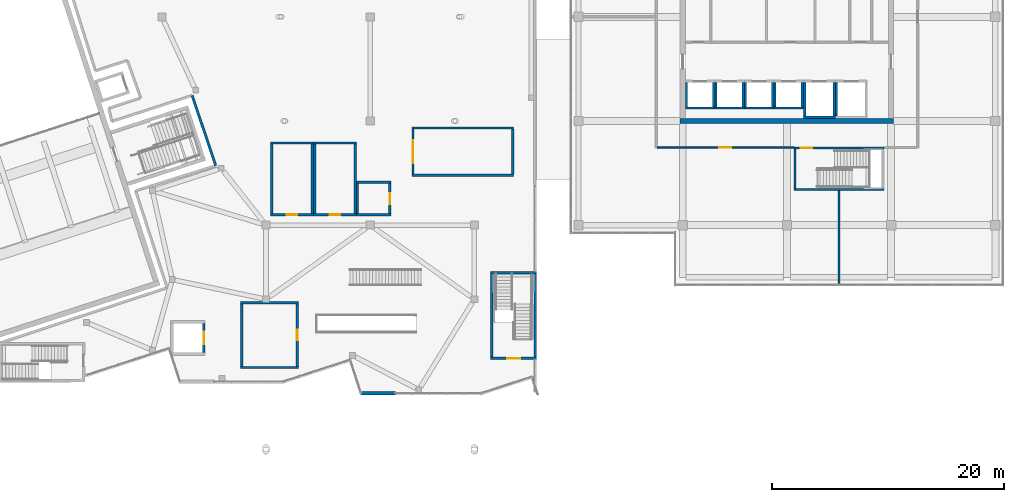
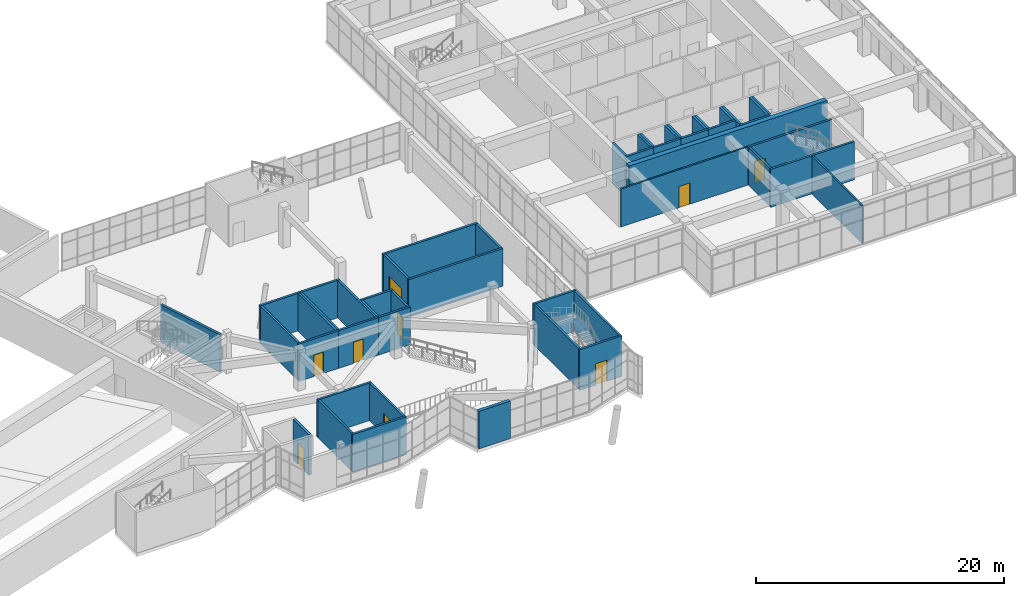
# One storey, part 55 of 66: 49 walls, 9 doors, 9 openings.
"""IFC4 building model written with IfcOpenShell, lengths in metres."""

from ifc_helpers import new_model, si_unit, direction, frame, frame_2d, origin, place, context, subcontext, project, spatial, rectangle, extrude, material, layer, layer_set, type_object, element, fill, save


model = new_model("IFC4")

# Units and contexts
model_context = context("Model", 3, precision=1e-05, world=origin(), true_north=direction((0.0, 1.0)))
body_context = subcontext(model_context, "Body", "Model", "MODEL_VIEW")
ifc_project = project(units=[si_unit("LENGTHUNIT", "METRE"), si_unit("AREAUNIT", "SQUARE_METRE"), si_unit("VOLUMEUNIT", "CUBIC_METRE"), si_unit("PLANEANGLEUNIT", "RADIAN"), si_unit("MASSUNIT", "GRAM", prefix="KILO")], contexts=[model_context])

# Site, building, storey
site_placement = place(None, origin())
site = spatial("IfcSite", under=ifc_project, at=site_placement, CompositionType="ELEMENT")
building_placement = place(site_placement, origin())
building = spatial("IfcBuilding", under=site, at=building_placement, Name="Tuart Plaza Theatre", CompositionType="ELEMENT")
storey_placement = place(building_placement, frame((0.0, 0.0, 5.5)))
storey = spatial("IfcBuildingStorey", under=building, at=storey_placement, Name="L01", CompositionType="ELEMENT", Elevation=5.5)

# Wall, opening, door
ifc_material_1 = material(Name="Masonry block", Category="masonry")
ifc_layer_1 = layer(ifc_material_1, 0.14990234375)
ifc_layer_set_1 = layer_set([ifc_layer_1], Name="PARTITION BLK150 MASONRYB FRL 120/-/-")
wall_type_1 = type_object("IfcWallType", Name="PARTITION BLK150 MASONRYB FRL 120/-/-", PredefinedType="PARTITIONING", material=ifc_layer_set_1)
wall_1_placement = place(storey_placement, frame((132.60009765625, 62.699951171875, 0.0), z_axis=(0.0, 0.0, 1.0), x_axis=(-1.0, 0.0, 0.0)))
wall_1 = element("IfcWall", 1, at=wall_1_placement, inside=storey, type_object=wall_type_1, Name="P600", PredefinedType="PARTITIONING", context=body_context, shape_type="SweptSolid", body=[
    extrude(rectangle(XDim=11.8251953125, YDim=0.14990234375, at=frame_2d((5.91259765625, 0.0))), origin(), (0.0, 0.0, 1.0), 3.75),
])
opening_1_placement = place(wall_1_placement, frame((5.427490234375, 0.0, 0.0)))
opening_1 = element("IfcOpeningElement", 2, at=opening_1_placement, cuts=wall_1, Name="Opening L01-060", PredefinedType="OPENING", context=body_context, shape_type="SweptSolid", body=[
    extrude(rectangle(XDim=1.0, YDim=2.10009765625, at=frame_2d((0.5, 1.050048828125))), frame((0.0, 0.0849609375, 0.0), z_axis=(0.0, -1.0, 0.0), x_axis=(1.0, 0.0, 0.0)), (0.0, 0.0, 1.0), 0.169921875),
])
ifc_material_2 = material(Name="Timber", Category="wood")
door_type_1 = type_object("IfcDoorType", Name="DOOR 1000x2100 timber single swing FRL -/60/30", OperationType="SINGLE_SWING_LEFT", PredefinedType="DOOR", material=ifc_material_2)
door_1_placement = place(opening_1_placement, origin())
door_1 = element("IfcDoor", 3, at=door_1_placement, inside=storey, type_object=door_type_1, Name="L01-060", OperationType="SINGLE_SWING_LEFT", OverallHeight=2.10009765625, OverallWidth=1.0, PredefinedType="DOOR", context=body_context, shape_type="SweptSolid", body=[
    extrude(rectangle(XDim=1.0, YDim=2.10009765625, at=frame_2d((0.5, 1.050048828125))), frame((0.0, 0.02490234375, 0.0), z_axis=(0.0, -1.0, 0.0), x_axis=(1.0, 0.0, 0.0)), (0.0, 0.0, 1.0), 0.050048828125),
])
fill(opening_1, door_1)

# Wall
wall_2_placement = place(storey_placement, frame((136.5, 50.89990234375, 0.0), z_axis=(0.0, 0.0, 1.0), x_axis=(0.0, 1.0, 0.0)))
element("IfcWall", 4, at=wall_2_placement, inside=storey, type_object=wall_type_1, Name="P605", PredefinedType="PARTITIONING", context=body_context, shape_type="SweptSolid", body=[
    extrude(rectangle(XDim=8.0751953125, YDim=0.14990234375, at=frame_2d((4.03759765625, 0.0))), origin(), (0.0, 0.0, 1.0), 3.75),
])

# Wall, opening, door
ifc_material_3 = material(Name="Masonry", Category="masonry")
ifc_layer_2 = layer(ifc_material_3, 0.199951171875)
ifc_layer_set_2 = layer_set([ifc_layer_2], Name="PARTITION BLK200 FRL 120/-/-")
wall_type_2 = type_object("IfcWallType", Name="PARTITION BLK200 FRL 120/-/-", PredefinedType="PARTITIONING", material=ifc_layer_set_2)
wall_3_placement = place(storey_placement, frame((87.39990234375, 56.89990234375, 0.0), z_axis=(0.0, 0.0, 1.0), x_axis=(1.0, 0.0, 0.0)))
wall_3 = element("IfcWall", 5, at=wall_3_placement, inside=storey, type_object=wall_type_2, Name="P309", PredefinedType="PARTITIONING", context=body_context, shape_type="SweptSolid", body=[
    extrude(rectangle(XDim=3.7001953125, YDim=0.199951171875, at=frame_2d((1.85009765625, 0.0))), origin(), (0.0, 0.0, 1.0), 3.699951171875),
])
opening_2_placement = place(wall_3_placement, frame((1.39990234375, 0.0, 0.0)))
opening_2 = element("IfcOpeningElement", 6, at=opening_2_placement, cuts=wall_3, Name="Opening L01-031", PredefinedType="OPENING", context=body_context, shape_type="SweptSolid", body=[
    extrude(rectangle(XDim=0.89990234375, YDim=2.10009765625, at=frame_2d((0.449951171875, 1.050048828125))), frame((0.0, 0.10986328125, 0.0), z_axis=(0.0, -1.0, 0.0), x_axis=(1.0, 0.0, 0.0)), (0.0, 0.0, 1.0), 0.219970703125),
])
ifc_material_4 = material(Name="Timber", Category="wood")
door_type_2 = type_object("IfcDoorType", Name="DOOR 900x2100 timber single swing FRL -/60/30", OperationType="SINGLE_SWING_LEFT", PredefinedType="DOOR", material=ifc_material_4)
door_2_placement = place(opening_2_placement, origin())
door_2 = element("IfcDoor", 7, at=door_2_placement, inside=storey, type_object=door_type_2, Name="L01-031", OperationType="SINGLE_SWING_LEFT", OverallHeight=2.10009765625, OverallWidth=0.89990234375, PredefinedType="DOOR", context=body_context, shape_type="SweptSolid", body=[
    extrude(rectangle(XDim=0.89990234375, YDim=2.10009765625, at=frame_2d((0.449951171875, 1.050048828125))), frame((0.0, 0.02490234375, 0.0), z_axis=(0.0, -1.0, 0.0), x_axis=(1.0, 0.0, 0.0)), (0.0, 0.0, 1.0), 0.050048828125),
])
fill(opening_2, door_2)

# Walls
wall_4_placement = place(storey_placement, frame((91.0, 57.0, 0.0), z_axis=(0.0, 0.0, 1.0), x_axis=(0.0, 1.0, 0.0)))
element("IfcWall", 8, at=wall_4_placement, inside=storey, type_object=wall_type_2, Name="P310", PredefinedType="PARTITIONING", context=body_context, shape_type="SweptSolid", body=[
    extrude(rectangle(XDim=6.0, YDim=0.199951171875, at=frame_2d((3.0, 0.0))), origin(), (0.0, 0.0, 1.0), 3.699951171875),
])
wall_5_placement = place(storey_placement, frame((91.10009765625, 63.10009765625, 0.0), z_axis=(0.0, 0.0, 1.0), x_axis=(-1.0, 0.0, 0.0)))
element("IfcWall", 9, at=wall_5_placement, inside=storey, type_object=wall_type_2, Name="P311", PredefinedType="PARTITIONING", context=body_context, shape_type="SweptSolid", body=[
    extrude(rectangle(XDim=3.7001953125, YDim=0.199951171875, at=frame_2d((1.85009765625, 0.0))), origin(), (0.0, 0.0, 1.0), 3.699951171875),
])
wall_6_placement = place(storey_placement, frame((87.5, 63.0, 0.0), z_axis=(0.0, 0.0, 1.0), x_axis=(0.0, -1.0, 0.0)))
element("IfcWall", 10, at=wall_6_placement, inside=storey, type_object=wall_type_2, Name="P312", PredefinedType="PARTITIONING", context=body_context, shape_type="SweptSolid", body=[
    extrude(rectangle(XDim=6.0, YDim=0.199951171875, at=frame_2d((3.0, 0.0))), origin(), (0.0, 0.0, 1.0), 3.699951171875),
])

# Wall, opening, door
wall_7_placement = place(storey_placement, frame((91.10009765625, 56.89990234375, 0.0), z_axis=(0.0, 0.0, 1.0), x_axis=(1.0, 0.0, 0.0)))
wall_7 = element("IfcWall", 11, at=wall_7_placement, inside=storey, type_object=wall_type_2, Name="P313", PredefinedType="PARTITIONING", context=body_context, shape_type="SweptSolid", body=[
    extrude(rectangle(XDim=3.699951171875, YDim=0.199951171875, at=frame_2d((1.85009765625, 0.0))), origin(), (0.0, 0.0, 1.0), 3.699951171875),
])
opening_3_placement = place(wall_7_placement, frame((1.39990234375, 0.0, 0.0)))
opening_3 = element("IfcOpeningElement", 12, at=opening_3_placement, cuts=wall_7, Name="Opening L01-032", PredefinedType="OPENING", context=body_context, shape_type="SweptSolid", body=[
    extrude(rectangle(XDim=0.89990234375, YDim=2.10009765625, at=frame_2d((0.449951171875, 1.050048828125))), frame((0.0, 0.10986328125, 0.0), z_axis=(0.0, -1.0, 0.0), x_axis=(1.0, 0.0, 0.0)), (0.0, 0.0, 1.0), 0.219970703125),
])
door_3_placement = place(opening_3_placement, origin())
door_3 = element("IfcDoor", 13, at=door_3_placement, inside=storey, type_object=door_type_2, Name="L01-032", OperationType="SINGLE_SWING_RIGHT", OverallHeight=2.10009765625, OverallWidth=0.89990234375, PredefinedType="DOOR", context=body_context, shape_type="SweptSolid", body=[
    extrude(rectangle(XDim=0.89990234375, YDim=2.10009765625, at=frame_2d((0.449951171875, 1.050048828125))), frame((0.0, 0.02490234375, 0.0), z_axis=(0.0, -1.0, 0.0), x_axis=(1.0, 0.0, 0.0)), (0.0, 0.0, 1.0), 0.050048828125),
])
fill(opening_3, door_3)

# Walls
wall_8_placement = place(storey_placement, frame((94.699951171875, 57.0, 0.0), z_axis=(0.0, 0.0, 1.0), x_axis=(0.0, 1.0, 0.0)))
element("IfcWall", 14, at=wall_8_placement, inside=storey, type_object=wall_type_2, Name="P314", PredefinedType="PARTITIONING", context=body_context, shape_type="SweptSolid", body=[
    extrude(rectangle(XDim=6.0, YDim=0.199951171875, at=frame_2d((3.0, 0.0))), origin(), (0.0, 0.0, 1.0), 3.699951171875),
])
wall_9_placement = place(storey_placement, frame((94.800048828125, 63.10009765625, 0.0), z_axis=(0.0, 0.0, 1.0), x_axis=(-1.0, 0.0, 0.0)))
element("IfcWall", 15, at=wall_9_placement, inside=storey, type_object=wall_type_2, Name="P315", PredefinedType="PARTITIONING", context=body_context, shape_type="SweptSolid", body=[
    extrude(rectangle(XDim=3.699951171875, YDim=0.199951171875, at=frame_2d((1.85009765625, 0.0))), origin(), (0.0, 0.0, 1.0), 3.699951171875),
])
wall_10_placement = place(storey_placement, frame((91.199951171875, 63.0, 0.0), z_axis=(0.0, 0.0, 1.0), x_axis=(0.0, -1.0, 0.0)))
element("IfcWall", 16, at=wall_10_placement, inside=storey, type_object=wall_type_2, Name="P316", PredefinedType="PARTITIONING", context=body_context, shape_type="SweptSolid", body=[
    extrude(rectangle(XDim=6.0, YDim=0.199951171875, at=frame_2d((3.0, 0.0))), origin(), (0.0, 0.0, 1.0), 3.699951171875),
])
wall_11_placement = place(storey_placement, frame((94.800048828125, 56.89990234375, 0.0), z_axis=(0.0, 0.0, 1.0), x_axis=(1.0, 0.0, 0.0)))
element("IfcWall", 17, at=wall_11_placement, inside=storey, type_object=wall_type_2, Name="P317", PredefinedType="PARTITIONING", context=body_context, shape_type="SweptSolid", body=[
    extrude(rectangle(XDim=3.0, YDim=0.199951171875, at=frame_2d((1.5, 0.0))), origin(), (0.0, 0.0, 1.0), 3.699951171875),
])

# Wall, opening, door
wall_12_placement = place(storey_placement, frame((97.699951171875, 57.0, 0.0), z_axis=(0.0, 0.0, 1.0), x_axis=(0.0, 1.0, 0.0)))
wall_12 = element("IfcWall", 18, at=wall_12_placement, inside=storey, type_object=wall_type_2, Name="P318", PredefinedType="PARTITIONING", context=body_context, shape_type="SweptSolid", body=[
    extrude(rectangle(XDim=2.60009765625, YDim=0.199951171875, at=frame_2d((1.300048828125, 0.0))), origin(), (0.0, 0.0, 1.0), 3.699951171875),
])
opening_4_placement = place(wall_12_placement, frame((0.824951171875, 0.0, 0.0)))
opening_4 = element("IfcOpeningElement", 19, at=opening_4_placement, cuts=wall_12, Name="Opening L01-033", PredefinedType="OPENING", context=body_context, shape_type="SweptSolid", body=[
    extrude(rectangle(XDim=0.949951171875, YDim=2.10009765625, at=frame_2d((0.47509765625, 1.050048828125))), frame((0.0, 0.10986328125, 0.0), z_axis=(0.0, -1.0, 0.0), x_axis=(1.0, 0.0, 0.0)), (0.0, 0.0, 1.0), 0.219970703125),
])
ifc_material_5 = material(Name="Timber", Category="wood")
door_type_3 = type_object("IfcDoorType", Name="DOOR 950x2100 timber single swing FRL -/60/30", OperationType="SINGLE_SWING_LEFT", PredefinedType="DOOR", material=ifc_material_5)
door_4_placement = place(opening_4_placement, origin())
door_4 = element("IfcDoor", 20, at=door_4_placement, inside=storey, type_object=door_type_3, Name="L01-033", OperationType="SINGLE_SWING_LEFT", OverallHeight=2.10009765625, OverallWidth=0.949951171875, PredefinedType="DOOR", context=body_context, shape_type="SweptSolid", body=[
    extrude(rectangle(XDim=0.949951171875, YDim=2.10009765625, at=frame_2d((0.47509765625, 1.050048828125))), frame((0.0, 0.02490234375, 0.0), z_axis=(0.0, -1.0, 0.0), x_axis=(1.0, 0.0, 0.0)), (0.0, 0.0, 1.0), 0.050048828125),
])
fill(opening_4, door_4)

# Walls
wall_13_placement = place(storey_placement, frame((97.800048828125, 59.699951171875, 0.0), z_axis=(0.0, 0.0, 1.0), x_axis=(-1.0, 0.0, 0.0)))
element("IfcWall", 21, at=wall_13_placement, inside=storey, type_object=wall_type_2, Name="P319", PredefinedType="PARTITIONING", context=body_context, shape_type="SweptSolid", body=[
    extrude(rectangle(XDim=3.0, YDim=0.199951171875, at=frame_2d((1.5, 0.0))), origin(), (0.0, 0.0, 1.0), 3.699951171875),
])
wall_14_placement = place(storey_placement, frame((94.89990234375, 59.60009765625, 0.0), z_axis=(0.0, 0.0, 1.0), x_axis=(0.0, -1.0, 0.0)))
element("IfcWall", 22, at=wall_14_placement, inside=storey, type_object=wall_type_2, Name="P320", PredefinedType="PARTITIONING", context=body_context, shape_type="SweptSolid", body=[
    extrude(rectangle(XDim=2.60009765625, YDim=0.199951171875, at=frame_2d((1.300048828125, 0.0))), origin(), (0.0, 0.0, 1.0), 3.699951171875),
])
wall_15_placement = place(storey_placement, frame((84.800048828125, 43.699951171875, 0.0), z_axis=(0.0, 0.0, 1.0), x_axis=(1.0, 0.0, 0.0)))
element("IfcWall", 23, at=wall_15_placement, inside=storey, type_object=wall_type_2, Name="P321", PredefinedType="PARTITIONING", context=body_context, shape_type="SweptSolid", body=[
    extrude(rectangle(XDim=5.0, YDim=0.199951171875, at=frame_2d((2.5, 0.0))), origin(), (0.0, 0.0, 1.0), 3.699951171875),
])

# Wall, opening, door
wall_16_placement = place(storey_placement, frame((89.699951171875, 43.800048828125, 0.0), z_axis=(0.0, 0.0, 1.0), x_axis=(0.0, 1.0, 0.0)))
wall_16 = element("IfcWall", 24, at=wall_16_placement, inside=storey, type_object=wall_type_2, Name="P322", PredefinedType="PARTITIONING", context=body_context, shape_type="SweptSolid", body=[
    extrude(rectangle(XDim=5.39990234375, YDim=0.199951171875, at=frame_2d((2.699951171875, 0.0))), origin(), (0.0, 0.0, 1.0), 3.699951171875),
])
opening_5_placement = place(wall_16_placement, frame((2.25, 0.0, 0.0)))
opening_5 = element("IfcOpeningElement", 25, at=opening_5_placement, cuts=wall_16, Name="Opening L01-034", PredefinedType="OPENING", context=body_context, shape_type="SweptSolid", body=[
    extrude(rectangle(XDim=0.89990234375, YDim=2.10009765625, at=frame_2d((0.449951171875, 1.050048828125))), frame((0.0, 0.10986328125, 0.0), z_axis=(0.0, -1.0, 0.0), x_axis=(1.0, 0.0, 0.0)), (0.0, 0.0, 1.0), 0.219970703125),
])
door_5_placement = place(opening_5_placement, frame((0.89990234375, 0.0, 0.0), z_axis=(0.0, 0.0, 1.0), x_axis=(-1.0, 0.0, 0.0)))
door_5 = element("IfcDoor", 26, at=door_5_placement, inside=storey, type_object=door_type_2, Name="L01-034", OperationType="SINGLE_SWING_LEFT", OverallHeight=2.10009765625, OverallWidth=0.89990234375, PredefinedType="DOOR", context=body_context, shape_type="SweptSolid", body=[
    extrude(rectangle(XDim=0.89990234375, YDim=2.10009765625, at=frame_2d((0.449951171875, 1.050048828125))), frame((0.0, 0.02490234375, 0.0), z_axis=(0.0, -1.0, 0.0), x_axis=(1.0, 0.0, 0.0)), (0.0, 0.0, 1.0), 0.050048828125),
])
fill(opening_5, door_5)

# Walls
wall_17_placement = place(storey_placement, frame((89.800048828125, 49.300048828125, 0.0), z_axis=(0.0, 0.0, 1.0), x_axis=(-1.0, 0.0, 0.0)))
element("IfcWall", 27, at=wall_17_placement, inside=storey, type_object=wall_type_2, Name="P323", PredefinedType="PARTITIONING", context=body_context, shape_type="SweptSolid", body=[
    extrude(rectangle(XDim=5.0, YDim=0.199951171875, at=frame_2d((2.5, 0.0))), origin(), (0.0, 0.0, 1.0), 3.699951171875),
])
wall_18_placement = place(storey_placement, frame((84.89990234375, 49.199951171875, 0.0), z_axis=(0.0, 0.0, 1.0), x_axis=(0.0, -1.0, 0.0)))
element("IfcWall", 28, at=wall_18_placement, inside=storey, type_object=wall_type_2, Name="P324", PredefinedType="PARTITIONING", context=body_context, shape_type="SweptSolid", body=[
    extrude(rectangle(XDim=5.39990234375, YDim=0.199951171875, at=frame_2d((2.699951171875, 0.0))), origin(), (0.0, 0.0, 1.0), 3.699951171875),
])
wall_19_placement = place(storey_placement, frame((99.60009765625, 60.300048828125, 0.0), z_axis=(0.0, 0.0, 1.0), x_axis=(1.0, 0.0, 0.0)))
element("IfcWall", 29, at=wall_19_placement, inside=storey, type_object=wall_type_2, Name="P325", PredefinedType="PARTITIONING", context=body_context, shape_type="SweptSolid", body=[
    extrude(rectangle(XDim=8.7998046875, YDim=0.199951171875, at=frame_2d((4.39990234375, 0.0))), origin(), (0.0, 0.0, 1.0), 3.699951171875),
])
wall_20_placement = place(storey_placement, frame((108.300048828125, 60.39990234375, 0.0), z_axis=(0.0, 0.0, 1.0), x_axis=(0.0, 1.0, 0.0)))
element("IfcWall", 30, at=wall_20_placement, inside=storey, type_object=wall_type_2, Name="P326", PredefinedType="PARTITIONING", context=body_context, shape_type="SweptSolid", body=[
    extrude(rectangle(XDim=3.900146484375, YDim=0.199951171875, at=frame_2d((1.9501953125, 0.0))), origin(), (0.0, 0.0, 1.0), 3.699951171875),
])
wall_21_placement = place(storey_placement, frame((108.39990234375, 64.39990234375, 0.0), z_axis=(0.0, 0.0, 1.0), x_axis=(-1.0, 0.0, 0.0)))
element("IfcWall", 31, at=wall_21_placement, inside=storey, type_object=wall_type_2, Name="P327", PredefinedType="PARTITIONING", context=body_context, shape_type="SweptSolid", body=[
    extrude(rectangle(XDim=8.7998046875, YDim=0.199951171875, at=frame_2d((4.39990234375, 0.0))), origin(), (0.0, 0.0, 1.0), 3.699951171875),
])

# Wall, opening, door
wall_22_placement = place(storey_placement, frame((99.699951171875, 64.300048828125, 0.0), z_axis=(0.0, 0.0, 1.0), x_axis=(0.0, -1.0, 0.0)))
wall_22 = element("IfcWall", 32, at=wall_22_placement, inside=storey, type_object=wall_type_2, Name="P328", PredefinedType="PARTITIONING", context=body_context, shape_type="SweptSolid", body=[
    extrude(rectangle(XDim=3.900146484375, YDim=0.199951171875, at=frame_2d((1.9501953125, 0.0))), origin(), (0.0, 0.0, 1.0), 3.699951171875),
])
opening_6_placement = place(wall_22_placement, frame((0.949951171875, 0.0, 0.0)))
opening_6 = element("IfcOpeningElement", 33, at=opening_6_placement, cuts=wall_22, Name="Opening L01-035", PredefinedType="OPENING", context=body_context, shape_type="SweptSolid", body=[
    extrude(rectangle(XDim=2.0, YDim=2.10009765625, at=frame_2d((1.0, 1.050048828125))), frame((0.0, 0.10986328125, 0.0), z_axis=(0.0, -1.0, 0.0), x_axis=(1.0, 0.0, 0.0)), (0.0, 0.0, 1.0), 0.219970703125),
])
ifc_material_6 = material(Name="Timber", Category="wood")
door_type_4 = type_object("IfcDoorType", Name="DOOR 2000x2100 timber double swing FRL -/60/30", OperationType="DOUBLE_DOOR_SINGLE_SWING", PredefinedType="DOOR", material=ifc_material_6)
door_6_placement = place(opening_6_placement, frame((2.0, 0.0, 0.0), z_axis=(0.0, 0.0, 1.0), x_axis=(-1.0, 0.0, 0.0)))
door_6 = element("IfcDoor", 34, at=door_6_placement, inside=storey, type_object=door_type_4, Name="L01-035", OperationType="DOUBLE_DOOR_SINGLE_SWING", OverallHeight=2.10009765625, OverallWidth=2.0, PredefinedType="DOOR", context=body_context, shape_type="SweptSolid", body=[
    extrude(rectangle(XDim=2.0, YDim=2.10009765625, at=frame_2d((1.0, 1.050048828125))), frame((0.0, 0.02490234375, 0.0), z_axis=(0.0, -1.0, 0.0), x_axis=(1.0, 0.0, 0.0)), (0.0, 0.0, 1.0), 0.050048828125),
])
fill(opening_6, door_6)

ifc_material_7 = material(Name="Concrete N40 (40 MPa)", Category="concrete")
ifc_layer_3 = layer(ifc_material_7, 0.199951171875)
ifc_layer_set_3 = layer_set([ifc_layer_3], Name="SHEAR WALL RC200 FRL 120/120/120")
wall_type_3 = type_object("IfcWallType", Name="SHEAR WALL RC200 FRL 120/120/120", PredefinedType="SHEAR", material=ifc_layer_set_3)
wall_23_placement = place(storey_placement, frame((106.39990234375, 44.5, 0.0), z_axis=(0.0, 0.0, 1.0), x_axis=(1.0, 0.0, 0.0)))
wall_23 = element("IfcWall", 35, at=wall_23_placement, inside=storey, type_object=wall_type_3, Name="W247", PredefinedType="SHEAR", context=body_context, shape_type="SweptSolid", body=[
    extrude(rectangle(XDim=3.960205078125, YDim=0.199951171875, at=frame_2d((1.97998046875, 0.0))), origin(), (0.0, 0.0, 1.0), 4.0),
])
opening_7_placement = place(wall_23_placement, frame((1.449951171875, 0.0, 0.0)))
opening_7 = element("IfcOpeningElement", 36, at=opening_7_placement, cuts=wall_23, Name="Opening L01-038", PredefinedType="OPENING", context=body_context, shape_type="SweptSolid", body=[
    extrude(rectangle(XDim=1.10009765625, YDim=2.10009765625, at=frame_2d((0.550048828125, 1.050048828125))), frame((0.0, 0.10986328125, 0.0), z_axis=(0.0, -1.0, 0.0), x_axis=(1.0, 0.0, 0.0)), (0.0, 0.0, 1.0), 0.219970703125),
])
ifc_material_8 = material(Name="Steel Grade 300", Category="steel")
door_type_5 = type_object("IfcDoorType", Name="DOOR 1100x2100 steel single swing FRL -/120/30", OperationType="SINGLE_SWING_LEFT", PredefinedType="DOOR", material=ifc_material_8)
door_7_placement = place(opening_7_placement, origin())
door_7 = element("IfcDoor", 37, at=door_7_placement, inside=storey, type_object=door_type_5, Name="L01-038", OperationType="SINGLE_SWING_LEFT", OverallHeight=2.10009765625, OverallWidth=1.10009765625, PredefinedType="DOOR", context=body_context, shape_type="SweptSolid", body=[
    extrude(rectangle(XDim=1.10009765625, YDim=2.10009765625, at=frame_2d((0.550048828125, 1.050048828125))), frame((0.0, 0.02490234375, 0.0), z_axis=(0.0, -1.0, 0.0), x_axis=(1.0, 0.0, 0.0)), (0.0, 0.0, 1.0), 0.050048828125),
])
fill(opening_7, door_7)

# Walls
wall_24_placement = place(storey_placement, frame((110.360107421875, 51.89990234375, 0.0), z_axis=(0.0, 0.0, 1.0), x_axis=(-1.0, 0.0, 0.0)))
element("IfcWall", 38, at=wall_24_placement, inside=storey, type_object=wall_type_3, Name="W248", PredefinedType="SHEAR", context=body_context, shape_type="SweptSolid", body=[
    extrude(rectangle(XDim=3.960205078125, YDim=0.199951171875, at=frame_2d((1.97998046875, 0.0))), origin(), (0.0, 0.0, 1.0), 4.0),
])
wall_25_placement = place(storey_placement, frame((106.5, 51.800048828125, 0.0), z_axis=(0.0, 0.0, 1.0), x_axis=(0.0, -1.0, 0.0)))
element("IfcWall", 39, at=wall_25_placement, inside=storey, type_object=wall_type_3, Name="W249", PredefinedType="SHEAR", context=body_context, shape_type="SweptSolid", body=[
    extrude(rectangle(XDim=7.199951171875, YDim=0.199951171875, at=frame_2d((3.60009765625, 0.0))), origin(), (0.0, 0.0, 1.0), 4.0),
])
wall_26_placement = place(storey_placement, frame((123.22509765625, 66.125, 0.0), z_axis=(0.0, 0.0, 1.0), x_axis=(1.0, 0.0, 0.0)))
element("IfcWall", 40, at=wall_26_placement, inside=storey, type_object=wall_type_3, Name="W554", PredefinedType="SHEAR", context=body_context, shape_type="SweptSolid", body=[
    extrude(rectangle(XDim=2.5498046875, YDim=0.199951171875, at=frame_2d((1.27490234375, 0.0))), origin(), (0.0, 0.0, 1.0), 4.0),
])
for number, where, z_axis, x_axis, name in (
    (41, (125.675048828125, 66.22509765625, 0.0), (0.0, 0.0, 1.0), (0.0, 1.0, 0.0), "W555"),
    (42, (123.324951171875, 68.324951171875, 0.0), (0.0, 0.0, 1.0), (0.0, -1.0, 0.0), "W557"),
):
    element("IfcWall", number, at=place(storey_placement, frame(where, z_axis=z_axis, x_axis=x_axis)), inside=storey, type_object=wall_type_3, Name=name, PredefinedType="SHEAR", context=body_context, shape_type="SweptSolid", body=[
        extrude(rectangle(XDim=2.099853515625, YDim=0.199951171875, at=frame_2d((1.0498046875, 0.0))), origin(), (0.0, 0.0, 1.0), 4.0),
    ])
wall_27_placement = place(storey_placement, frame((125.77490234375, 66.125, 0.0), z_axis=(0.0, 0.0, 1.0), x_axis=(1.0, 0.0, 0.0)))
element("IfcWall", 43, at=wall_27_placement, inside=storey, type_object=wall_type_3, Name="W598", PredefinedType="SHEAR", context=body_context, shape_type="SweptSolid", body=[
    extrude(rectangle(XDim=2.550048828125, YDim=0.199951171875, at=frame_2d((1.27490234375, 0.0))), origin(), (0.0, 0.0, 1.0), 4.0),
])
for number, where, z_axis, x_axis, name in (
    (44, (128.22509765625, 66.22509765625, 0.0), (0.0, 0.0, 1.0), (0.0, 1.0, 0.0), "W599"),
    (45, (125.875, 68.324951171875, 0.0), (0.0, 0.0, 1.0), (0.0, -1.0, 0.0), "W601"),
):
    element("IfcWall", number, at=place(storey_placement, frame(where, z_axis=z_axis, x_axis=x_axis)), inside=storey, type_object=wall_type_3, Name=name, PredefinedType="SHEAR", context=body_context, shape_type="SweptSolid", body=[
        extrude(rectangle(XDim=2.099853515625, YDim=0.199951171875, at=frame_2d((1.0498046875, 0.0))), origin(), (0.0, 0.0, 1.0), 4.0),
    ])
wall_28_placement = place(storey_placement, frame((128.324951171875, 66.125, 0.0), z_axis=(0.0, 0.0, 1.0), x_axis=(1.0, 0.0, 0.0)))
element("IfcWall", 46, at=wall_28_placement, inside=storey, type_object=wall_type_3, Name="W642", PredefinedType="SHEAR", context=body_context, shape_type="SweptSolid", body=[
    extrude(rectangle(XDim=2.550048828125, YDim=0.199951171875, at=frame_2d((1.27490234375, 0.0))), origin(), (0.0, 0.0, 1.0), 4.0),
])
for number, where, z_axis, x_axis, name in (
    (47, (130.77490234375, 66.22509765625, 0.0), (0.0, 0.0, 1.0), (0.0, 1.0, 0.0), "W643"),
    (48, (128.425048828125, 68.324951171875, 0.0), (0.0, 0.0, 1.0), (0.0, -1.0, 0.0), "W645"),
):
    element("IfcWall", number, at=place(storey_placement, frame(where, z_axis=z_axis, x_axis=x_axis)), inside=storey, type_object=wall_type_3, Name=name, PredefinedType="SHEAR", context=body_context, shape_type="SweptSolid", body=[
        extrude(rectangle(XDim=2.099853515625, YDim=0.199951171875, at=frame_2d((1.0498046875, 0.0))), origin(), (0.0, 0.0, 1.0), 4.0),
    ])
wall_29_placement = place(storey_placement, frame((130.875, 66.125, 0.0), z_axis=(0.0, 0.0, 1.0), x_axis=(1.0, 0.0, 0.0)))
element("IfcWall", 49, at=wall_29_placement, inside=storey, type_object=wall_type_3, Name="W686", PredefinedType="SHEAR", context=body_context, shape_type="SweptSolid", body=[
    extrude(rectangle(XDim=2.550048828125, YDim=0.199951171875, at=frame_2d((1.27490234375, 0.0))), origin(), (0.0, 0.0, 1.0), 4.0),
])
for number, where, z_axis, x_axis, name in (
    (50, (133.324951171875, 66.22509765625, 0.0), (0.0, 0.0, 1.0), (0.0, 1.0, 0.0), "W687"),
    (51, (130.97509765625, 68.324951171875, 0.0), (0.0, 0.0, 1.0), (0.0, -1.0, 0.0), "W689"),
):
    element("IfcWall", number, at=place(storey_placement, frame(where, z_axis=z_axis, x_axis=x_axis)), inside=storey, type_object=wall_type_3, Name=name, PredefinedType="SHEAR", context=body_context, shape_type="SweptSolid", body=[
        extrude(rectangle(XDim=2.099853515625, YDim=0.199951171875, at=frame_2d((1.0498046875, 0.0))), origin(), (0.0, 0.0, 1.0), 4.0),
    ])
wall_30_placement = place(storey_placement, frame((133.425048828125, 65.324951171875, 0.0), z_axis=(0.0, 0.0, 1.0), x_axis=(1.0, 0.0, 0.0)))
element("IfcWall", 52, at=wall_30_placement, inside=storey, type_object=wall_type_3, Name="W1018", PredefinedType="SHEAR", context=body_context, shape_type="SweptSolid", body=[
    extrude(rectangle(XDim=2.75, YDim=0.199951171875, at=frame_2d((1.375, 0.0))), origin(), (0.0, 0.0, 1.0), 4.0),
])
for number, where, z_axis, x_axis, name in (
    (53, (136.074951171875, 65.425048828125, 0.0), (0.0, 0.0, 1.0), (0.0, 1.0, 0.0), "W1019"),
    (54, (133.52490234375, 68.324951171875, 0.0), (0.0, 0.0, 1.0), (0.0, -1.0, 0.0), "W1021"),
    (55, (136.27490234375, 68.324951171875, 0.0), (0.0, 0.0, 1.0), (0.0, -1.0, 0.0), "W1097"),
):
    element("IfcWall", number, at=place(storey_placement, frame(where, z_axis=z_axis, x_axis=x_axis)), inside=storey, type_object=wall_type_3, Name=name, PredefinedType="SHEAR", context=body_context, shape_type="SweptSolid", body=[
        extrude(rectangle(XDim=2.89990234375, YDim=0.199951171875, at=frame_2d((1.449951171875, 0.0))), origin(), (0.0, 0.0, 1.0), 4.0),
    ])
wall_31_placement = place(storey_placement, frame((132.60009765625, 59.074951171875, 0.0), z_axis=(0.0, 0.0, 1.0), x_axis=(1.0, 0.0, 0.0)))
element("IfcWall", 56, at=wall_31_placement, inside=storey, type_object=wall_type_3, Name="P396", PredefinedType="SHEAR", context=body_context, shape_type="SweptSolid", body=[
    extrude(rectangle(XDim=7.7998046875, YDim=0.199951171875, at=frame_2d((3.89990234375, 0.0))), origin(), (0.0, 0.0, 1.0), 3.75),
])

# Wall, opening, door
wall_32_placement = place(storey_placement, frame((140.39990234375, 62.675048828125, 0.0), z_axis=(0.0, 0.0, 1.0), x_axis=(-1.0, 0.0, 0.0)))
wall_32 = element("IfcWall", 57, at=wall_32_placement, inside=storey, type_object=wall_type_3, Name="P398", PredefinedType="SHEAR", context=body_context, shape_type="SweptSolid", body=[
    extrude(rectangle(XDim=7.7998046875, YDim=0.199951171875, at=frame_2d((3.89990234375, 0.0))), origin(), (0.0, 0.0, 1.0), 3.75),
])
opening_8_placement = place(wall_32_placement, frame((6.199951171875, 0.0, 0.0)))
opening_8 = element("IfcOpeningElement", 58, at=opening_8_placement, cuts=wall_32, Name="Opening L01-047", PredefinedType="OPENING", context=body_context, shape_type="SweptSolid", body=[
    extrude(rectangle(XDim=1.0, YDim=2.10009765625, at=frame_2d((0.5, 1.050048828125))), frame((0.0, 0.10986328125, 0.0), z_axis=(0.0, -1.0, 0.0), x_axis=(1.0, 0.0, 0.0)), (0.0, 0.0, 1.0), 0.219970703125),
])
ifc_material_9 = material(Name="Steel Grade 300", Category="steel")
door_type_6 = type_object("IfcDoorType", Name="DOOR 1000x2100 steel single swing FRL -/120/30", OperationType="SINGLE_SWING_LEFT", PredefinedType="DOOR", material=ifc_material_9)
door_8_placement = place(opening_8_placement, origin())
door_8 = element("IfcDoor", 59, at=door_8_placement, inside=storey, type_object=door_type_6, Name="L01-047", OperationType="SINGLE_SWING_LEFT", OverallHeight=2.10009765625, OverallWidth=1.0, PredefinedType="DOOR", context=body_context, shape_type="SweptSolid", body=[
    extrude(rectangle(XDim=1.0, YDim=2.10009765625, at=frame_2d((0.5, 1.050048828125))), frame((0.0, 0.02490234375, 0.0), z_axis=(0.0, -1.0, 0.0), x_axis=(1.0, 0.0, 0.0)), (0.0, 0.0, 1.0), 0.050048828125),
])
fill(opening_8, door_8)

# Walls
wall_33_placement = place(storey_placement, frame((132.699951171875, 62.574951171875, 0.0), z_axis=(0.0, 0.0, 1.0), x_axis=(0.0, -1.0, 0.0)))
element("IfcWall", 60, at=wall_33_placement, inside=storey, type_object=wall_type_3, Name="P399", PredefinedType="SHEAR", context=body_context, shape_type="SweptSolid", body=[
    extrude(rectangle(XDim=3.39990234375, YDim=0.199951171875, at=frame_2d((1.699951171875, 0.0))), origin(), (0.0, 0.0, 1.0), 3.75),
])
ifc_material_10 = material(Name="Concrete N40 (40 MPa)", Category="concrete")
ifc_layer_4 = layer(ifc_material_10, 0.199951171875)
ifc_layer_set_4 = layer_set([ifc_layer_4], Name="SHEAR WALL RC200 FRL 120/120/120 EXT")
wall_type_4 = type_object("IfcWallType", Name="SHEAR WALL RC200 FRL 120/120/120 EXT", PredefinedType="SHEAR", material=ifc_layer_set_4)
wall_34_placement = place(storey_placement, frame((110.260009765625, 44.60009765625, 0.0), z_axis=(0.0, 0.0, 1.0), x_axis=(0.0, 1.0, 0.0)))
element("IfcWall", 61, at=wall_34_placement, inside=storey, type_object=wall_type_4, Name="W258", PredefinedType="SHEAR", context=body_context, shape_type="SweptSolid", body=[
    extrude(rectangle(XDim=7.199951171875, YDim=0.199951171875, at=frame_2d((3.60009765625, 0.0))), origin(), (0.0, 0.0, 1.0), 4.0),
])

# Wall, opening, door
ifc_material_11 = material(Name="Concrete N40 (40 MPa)", Category="concrete")
ifc_layer_5 = layer(ifc_material_11, 0.25)
ifc_layer_set_5 = layer_set([ifc_layer_5], Name="SHEAR WALL RC250 FRL 120/120/120")
wall_type_5 = type_object("IfcWallType", Name="SHEAR WALL RC250 FRL 120/120/120", PredefinedType="SHEAR", material=ifc_layer_set_5)
wall_35_placement = place(storey_placement, frame((81.625, 45.0, 0.0), z_axis=(0.0, 0.0, 1.0), x_axis=(0.0, 1.0, 0.0)))
wall_35 = element("IfcWall", 62, at=wall_35_placement, inside=storey, type_object=wall_type_5, Name="W280", PredefinedType="SHEAR", context=body_context, shape_type="SweptSolid", body=[
    extrude(rectangle(XDim=2.5, YDim=0.25, at=frame_2d((1.25, 0.0))), origin(), (0.0, 0.0, 1.0), 4.0),
])
opening_9_placement = place(wall_35_placement, frame((0.699951171875, 0.0, 0.0)))
opening_9 = element("IfcOpeningElement", 63, at=opening_9_placement, cuts=wall_35, Name="Opening L01-004", PredefinedType="OPENING", context=body_context, shape_type="SweptSolid", body=[
    extrude(rectangle(XDim=1.10009765625, YDim=2.10009765625, at=frame_2d((0.550048828125, 1.050048828125))), frame((0.0, 0.135009765625, 0.0), z_axis=(0.0, -1.0, 0.0), x_axis=(1.0, 0.0, 0.0)), (0.0, 0.0, 1.0), 0.27001953125),
])
ifc_material_12 = material(Name="Steel Grade 300", Category="steel")
door_type_7 = type_object("IfcDoorType", Name="LANDING DOOR 1100x2100 steel sliding FRL -/120/30", OperationType="SLIDING_TO_LEFT", PredefinedType="DOOR", material=ifc_material_12)
door_9_placement = place(opening_9_placement, origin())
door_9 = element("IfcDoor", 64, at=door_9_placement, inside=storey, type_object=door_type_7, Name="L01-004", OperationType="SLIDING_TO_LEFT", OverallHeight=2.10009765625, OverallWidth=1.10009765625, PredefinedType="DOOR", context=body_context, shape_type="SweptSolid", body=[
    extrude(rectangle(XDim=1.10009765625, YDim=2.10009765625, at=frame_2d((0.550048828125, 1.050048828125))), frame((0.0, 0.02490234375, 0.0), z_axis=(0.0, -1.0, 0.0), x_axis=(1.0, 0.0, 0.0)), (0.0, 0.0, 1.0), 0.050048828125),
])
fill(opening_9, door_9)

# Walls
ifc_material_13 = material(Name="Concrete N50 (50 MPa)", Category="concrete")
ifc_layer_6 = layer(ifc_material_13, 0.449951171875)
ifc_layer_set_6 = layer_set([ifc_layer_6], Name="SHEAR WALL RC450 N50 FRL 120/120/120")
wall_type_6 = type_object("IfcWallType", Name="SHEAR WALL RC450 N50 FRL 120/120/120", PredefinedType="SHEAR", material=ifc_layer_set_6)
wall_36_placement = place(storey_placement, frame((122.77490234375, 65.0, 0.0), z_axis=(0.0, 0.0, 1.0), x_axis=(1.0, 0.0, 0.0)))
element("IfcWall", 65, at=wall_36_placement, inside=storey, type_object=wall_type_6, Name="W363", PredefinedType="SHEAR", context=body_context, shape_type="SweptSolid", body=[
    extrude(rectangle(XDim=18.4501953125, YDim=0.449951171875, at=frame_2d((9.22509765625, 0.0))), origin(), (0.0, 0.0, 1.0), 4.0),
])
ifc_material_14 = material(Name="Concrete N40 (40 MPa)", Category="concrete")
ifc_layer_7 = layer(ifc_material_14, 0.219970703125)
ifc_layer_set_7 = layer_set([ifc_layer_7], Name="WALL RC220 FRL 120/120/120")
wall_type_7 = type_object("IfcWallType", Name="WALL RC220 FRL 120/120/120", PredefinedType="SOLIDWALL", material=ifc_layer_set_7)
wall_37_placement = place(storey_placement, frame((82.649169921875, 61.156005859375, 0.0), z_axis=(0.0, 0.0, 1.0), x_axis=(-0.319548146605, 0.947570040684, 0.0)))
element("IfcWall", 66, at=wall_37_placement, inside=storey, type_object=wall_type_7, Name="P42", PredefinedType="SOLIDWALL", context=body_context, shape_type="SweptSolid", body=[
    extrude(rectangle(XDim=6.37109375, YDim=0.219970703125, at=frame_2d((3.185546875, 0.0))), origin(), (0.0, 0.0, 1.0), 3.699951171875),
])
ifc_material_15 = material(Name="Concrete N40 (40 MPa)", Category="concrete")
ifc_layer_8 = layer(ifc_material_15, 0.300048828125)
ifc_layer_set_8 = layer_set([ifc_layer_8], Name="WALL RC300 EXT")
wall_type_8 = type_object("IfcWallType", Name="WALL RC300 EXT", PredefinedType="SOLIDWALL", material=ifc_layer_set_8)
wall_38_placement = place(storey_placement, frame((95.22900390625, 41.47900390625, 0.0), z_axis=(0.0, 0.0, 1.0), x_axis=(1.0, 0.0, 0.0)))
element("IfcWall", 67, at=wall_38_placement, inside=storey, type_object=wall_type_8, Name="P37", PredefinedType="SOLIDWALL", context=body_context, shape_type="SweptSolid", body=[
    extrude(rectangle(XDim=2.94091796875, YDim=0.300048828125, at=frame_2d((1.470458984375, 0.0))), origin(), (0.0, 0.0, 1.0), 3.699951171875),
])

save(model, "model.ifc")
